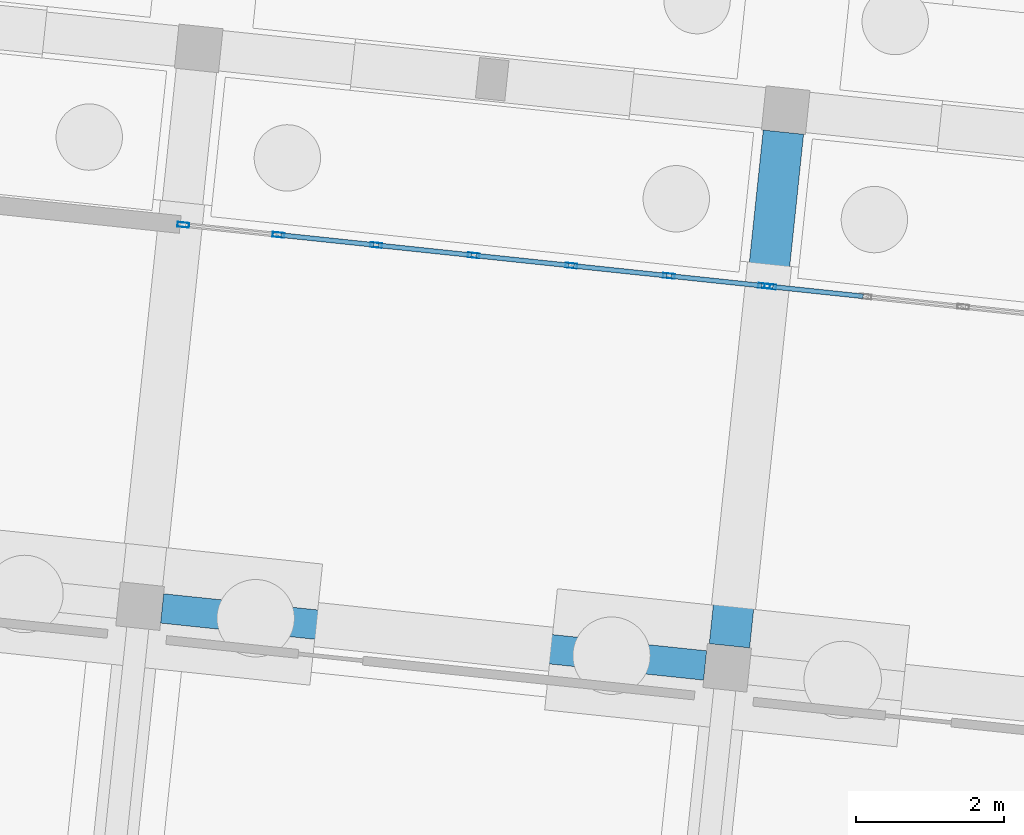
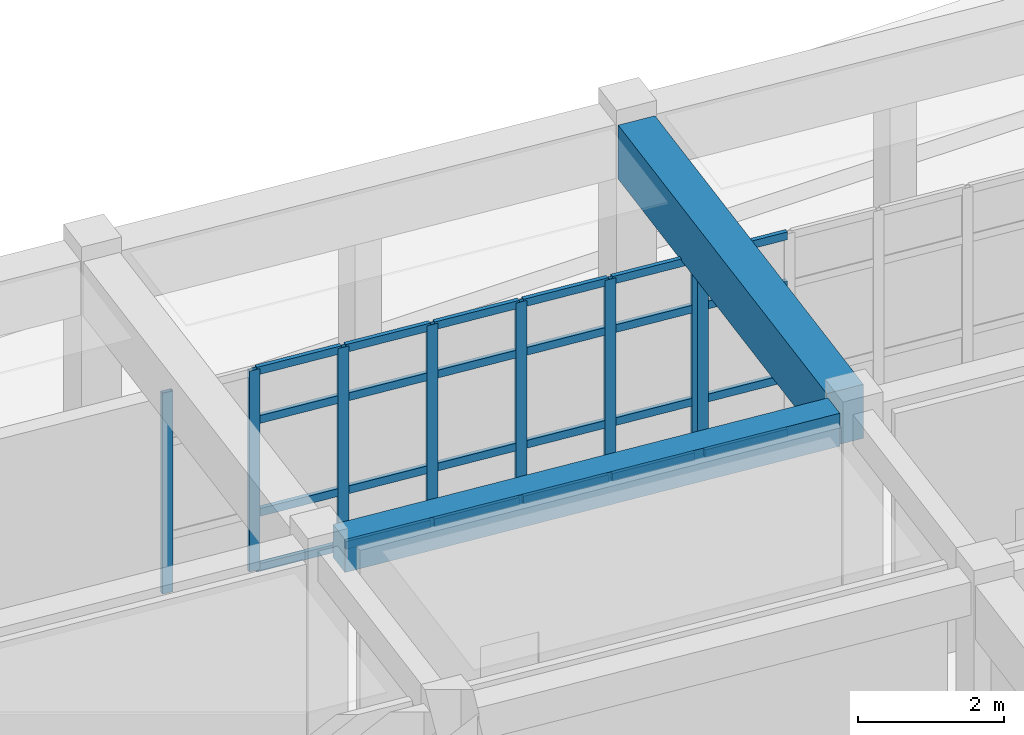
# One storey, part 87 of 154: 32 members, 2 beams, 2 elements without a shape of their own.
"""IFC4 building model written with IfcOpenShell, lengths in metres."""

from ifc_helpers import new_model, si_unit, direction, frame, origin, origin_2d, place, context, subcontext, project, spatial, rectangle, hollow_rectangle, extrude, material, material_profile, profile_set, type_object, element, aggregate, save


model = new_model("IFC4")

# Units and contexts
model_context = context("Model", 3, precision=1e-05, world=origin(), true_north=direction((0.0, 1.0)))
body_context = subcontext(model_context, "Body", "Model", "MODEL_VIEW")
ifc_project = project(units=[si_unit("LENGTHUNIT", "METRE"), si_unit("AREAUNIT", "SQUARE_METRE"), si_unit("VOLUMEUNIT", "CUBIC_METRE"), si_unit("PLANEANGLEUNIT", "RADIAN"), si_unit("MASSUNIT", "GRAM", prefix="KILO")], contexts=[model_context])

# Site, building, storey
site_placement = place(None, origin())
site = spatial("IfcSite", under=ifc_project, at=site_placement, CompositionType="ELEMENT")
building_placement = place(site_placement, origin())
building = spatial("IfcBuilding", under=site, at=building_placement, Name="Kestramere Prow Commons", CompositionType="ELEMENT")
storey_placement = place(building_placement, origin())
storey = spatial("IfcBuildingStorey", under=building, at=storey_placement, Name="L00", CompositionType="ELEMENT", Elevation=0.0)

# Beam
ifc_material_1 = material(Name="Precast concrete C40/50", Category="concrete")
ifc_material_profile_1 = material_profile(ifc_material_1, rectangle(XDim=0.39990234375, YDim=0.550048828125, at=origin_2d()), Name="PC-BM 400x550")
ifc_profile_set_1 = profile_set([ifc_material_profile_1], Name="Precast concrete C40/50")
beam_type_1 = type_object("IfcBeamType", Name="BM-B1 PC-BM 400x550", PredefinedType="BEAM", material=ifc_profile_set_1)
beam_1_placement = place(storey_placement, frame((119.5087890625, 105.86669921875, 3.97509765625), z_axis=(0.994523154564, -0.104516482125, 0.0), x_axis=(0.104516482125, 0.994523154564, 0.0)))
element("IfcBeam", 1, at=beam_1_placement, inside=storey, type_object=beam_type_1, Name="Block B L00 Longitudinal Beam 3-2", PredefinedType="BEAM", context=body_context, shape_type="SweptSolid", body=[
    extrude(rectangle(XDim=0.39990234375, YDim=0.550048828125, at=origin_2d()), origin(), (0.0, 0.0, 1.0), 7.400146484375),
])

# Curtain wall, members
ifc_material_2 = material(Name="Anodised Aluminium and Low-E Glass", Category="aluminium")
curtain_wall_type = type_object("IfcCurtainWallType", Name="CW-05 Glazed Curtain Wall 7980x3350", PredefinedType="USERDEFINED", material=ifc_material_2)
curtain_wall_1_placement = place(storey_placement, origin())
curtain_wall_1 = element("IfcCurtainWall", 2, at=curtain_wall_1_placement, inside=storey, type_object=curtain_wall_type, Name="Block B L00 North Courtyard Storefront 2", ObjectType="GLAZED CURTAIN WALL", PredefinedType="USERDEFINED")
ifc_material_3 = material(Name="Anodised Aluminium 6063-T6", Category="aluminium")
ifc_material_profile_2 = material_profile(ifc_material_3, hollow_rectangle(XDim=0.06494140625, YDim=0.159912109375, WallThickness=0.00390625, at=origin_2d()), Name="ALU-MUL 65x160")
ifc_profile_set_2 = profile_set([ifc_material_profile_2], Name="Anodised Aluminium 6063-T6")
member_type_1 = type_object("IfcMemberType", Name="CW-MUL-65x160", PredefinedType="MULLION", material=ifc_profile_set_2)
member_1_placement = place(storey_placement, frame((119.79638671875, 111.065185546875, 0.0), z_axis=(0.0, 0.0, 1.0), x_axis=(0.104528566667, 0.994521884501, 0.0)))
member_1 = element("IfcMember", 3, at=member_1_placement, type_object=member_type_1, Name="CW-05 mullion 1", PredefinedType="MULLION", context=body_context, shape_type="SweptSolid", body=[
    extrude(hollow_rectangle(XDim=0.06494140625, YDim=0.159912109375, WallThickness=0.00390625, at=origin_2d()), origin(), (0.0, 0.0, 1.0), 3.35009765625),
])
member_2_placement = place(storey_placement, frame((121.086669921875, 110.929443359375, 0.0), z_axis=(0.0, 0.0, 1.0), x_axis=(0.104528566667, 0.994521884501, 0.0)))
member_2 = element("IfcMember", 4, at=member_2_placement, type_object=member_type_1, Name="CW-05 mullion 2", PredefinedType="MULLION", context=body_context, shape_type="SweptSolid", body=[
    extrude(hollow_rectangle(XDim=0.06494140625, YDim=0.159912109375, WallThickness=0.00390625, at=origin_2d()), origin(), (0.0, 0.0, 1.0), 3.35009765625),
])
member_3_placement = place(storey_placement, frame((122.409423828125, 110.79052734375, 0.0), z_axis=(0.0, 0.0, 1.0), x_axis=(0.104528566667, 0.994521884501, 0.0)))
member_3 = element("IfcMember", 5, at=member_3_placement, type_object=member_type_1, Name="CW-05 mullion 3", PredefinedType="MULLION", context=body_context, shape_type="SweptSolid", body=[
    extrude(hollow_rectangle(XDim=0.06494140625, YDim=0.159912109375, WallThickness=0.00390625, at=origin_2d()), origin(), (0.0, 0.0, 1.0), 3.35009765625),
])
member_4_placement = place(storey_placement, frame((123.732177734375, 110.6513671875, 0.0), z_axis=(0.0, 0.0, 1.0), x_axis=(0.104528566667, 0.994521884501, 0.0)))
member_4 = element("IfcMember", 6, at=member_4_placement, type_object=member_type_1, Name="CW-05 mullion 4", PredefinedType="MULLION", context=body_context, shape_type="SweptSolid", body=[
    extrude(hollow_rectangle(XDim=0.06494140625, YDim=0.159912109375, WallThickness=0.00390625, at=origin_2d()), origin(), (0.0, 0.0, 1.0), 3.35009765625),
])
member_5_placement = place(storey_placement, frame((125.054931640625, 110.512451171875, 0.0), z_axis=(0.0, 0.0, 1.0), x_axis=(0.104528566667, 0.994521884501, 0.0)))
member_5 = element("IfcMember", 7, at=member_5_placement, type_object=member_type_1, Name="CW-05 mullion 5", PredefinedType="MULLION", context=body_context, shape_type="SweptSolid", body=[
    extrude(hollow_rectangle(XDim=0.06494140625, YDim=0.159912109375, WallThickness=0.00390625, at=origin_2d()), origin(), (0.0, 0.0, 1.0), 3.35009765625),
])
member_6_placement = place(storey_placement, frame((126.377685546875, 110.373291015625, 0.0), z_axis=(0.0, 0.0, 1.0), x_axis=(0.104528566667, 0.994521884501, 0.0)))
member_6 = element("IfcMember", 8, at=member_6_placement, type_object=member_type_1, Name="CW-05 mullion 6", PredefinedType="MULLION", context=body_context, shape_type="SweptSolid", body=[
    extrude(hollow_rectangle(XDim=0.06494140625, YDim=0.159912109375, WallThickness=0.00390625, at=origin_2d()), origin(), (0.0, 0.0, 1.0), 3.35009765625),
])
member_7_placement = place(storey_placement, frame((127.66796875, 110.23779296875, 0.0), z_axis=(0.0, 0.0, 1.0), x_axis=(0.104528566667, 0.994521884501, 0.0)))
member_7 = element("IfcMember", 9, at=member_7_placement, type_object=member_type_1, Name="CW-05 mullion 7", PredefinedType="MULLION", context=body_context, shape_type="SweptSolid", body=[
    extrude(hollow_rectangle(XDim=0.06494140625, YDim=0.159912109375, WallThickness=0.00390625, at=origin_2d()), origin(), (0.0, 0.0, 1.0), 3.35009765625),
])

# Curtain wall, member
curtain_wall_2_placement = place(storey_placement, origin())
curtain_wall_2 = element("IfcCurtainWall", 10, at=curtain_wall_2_placement, inside=storey, type_object=curtain_wall_type, Name="Block B L00 North Courtyard Storefront 3", ObjectType="GLAZED CURTAIN WALL", PredefinedType="USERDEFINED")
member_8_placement = place(storey_placement, frame((127.75244140625, 110.228759765625, 0.0), z_axis=(0.0, 0.0, 1.0), x_axis=(0.104528442716, 0.994521897528, 0.0)))
member_8 = element("IfcMember", 11, at=member_8_placement, type_object=member_type_1, Name="CW-05 mullion 1", PredefinedType="MULLION", context=body_context, shape_type="SweptSolid", body=[
    extrude(hollow_rectangle(XDim=0.06494140625, YDim=0.159912109375, WallThickness=0.00390625, at=origin_2d()), origin(), (0.0, 0.0, 1.0), 3.35009765625),
])

# Member
ifc_material_profile_3 = material_profile(ifc_material_3, hollow_rectangle(XDim=0.06494140625, YDim=0.1298828125, WallThickness=0.00390625, at=origin_2d()), Name="ALU-TRN 65x130")
ifc_profile_set_3 = profile_set([ifc_material_profile_3], Name="Anodised Aluminium 6063-T6")
member_type_2 = type_object("IfcMemberType", Name="CW-TRN-65x130", PredefinedType="USERDEFINED", material=ifc_profile_set_3)
member_9_placement = place(storey_placement, frame((121.119140625, 110.926025390625, 0.032470703125), z_axis=(0.994533969495, -0.104413521734, 0.0), x_axis=(0.104413521734, 0.994533969495, 0.0)))
member_9 = element("IfcMember", 12, at=member_9_placement, type_object=member_type_2, Name="CW-05 transom 2.1", ObjectType="TRANSOM", PredefinedType="USERDEFINED", context=body_context, shape_type="SweptSolid", body=[
    extrude(hollow_rectangle(XDim=0.06494140625, YDim=0.1298828125, WallThickness=0.00390625, at=origin_2d()), origin(), (0.0, 0.0, 1.0), 1.264892578125),
])

member_10_placement = place(storey_placement, frame((121.119140625, 110.926025390625, 0.949951171875), z_axis=(0.994533969495, -0.104413521734, 0.0), x_axis=(0.104413521734, 0.994533969495, 0.0)))
member_10 = element("IfcMember", 13, at=member_10_placement, type_object=member_type_2, Name="CW-05 transom 2.2", ObjectType="TRANSOM", PredefinedType="USERDEFINED", context=body_context, shape_type="SweptSolid", body=[
    extrude(hollow_rectangle(XDim=0.06494140625, YDim=0.1298828125, WallThickness=0.00390625, at=origin_2d()), origin(), (0.0, 0.0, 1.0), 1.264892578125),
])

member_11_placement = place(storey_placement, frame((121.119140625, 110.926025390625, 2.5), z_axis=(0.994533969495, -0.104413521734, 0.0), x_axis=(0.104413521734, 0.994533969495, 0.0)))
member_11 = element("IfcMember", 14, at=member_11_placement, type_object=member_type_2, Name="CW-05 transom 2.3", ObjectType="TRANSOM", PredefinedType="USERDEFINED", context=body_context, shape_type="SweptSolid", body=[
    extrude(hollow_rectangle(XDim=0.06494140625, YDim=0.1298828125, WallThickness=0.00390625, at=origin_2d()), origin(), (0.0, 0.0, 1.0), 1.264892578125),
])

member_12_placement = place(storey_placement, frame((121.119140625, 110.926025390625, 3.3173828125), z_axis=(0.994533969495, -0.104413521734, 0.0), x_axis=(0.104413521734, 0.994533969495, 0.0)))
member_12 = element("IfcMember", 15, at=member_12_placement, type_object=member_type_2, Name="CW-05 transom 2.4", ObjectType="TRANSOM", PredefinedType="USERDEFINED", context=body_context, shape_type="SweptSolid", body=[
    extrude(hollow_rectangle(XDim=0.06494140625, YDim=0.1298828125, WallThickness=0.00390625, at=origin_2d()), origin(), (0.0, 0.0, 1.0), 1.264892578125),
])

member_13_placement = place(storey_placement, frame((122.441650390625, 110.787109375, 0.032470703125), z_axis=(0.994516021002, -0.104584339034, 0.0), x_axis=(0.104584339034, 0.994516021002, 0.0)))
member_13 = element("IfcMember", 16, at=member_13_placement, type_object=member_type_2, Name="CW-05 transom 3.1", ObjectType="TRANSOM", PredefinedType="USERDEFINED", context=body_context, shape_type="SweptSolid", body=[
    extrude(hollow_rectangle(XDim=0.06494140625, YDim=0.1298828125, WallThickness=0.00390625, at=origin_2d()), origin(), (0.0, 0.0, 1.0), 1.26513671875),
])

member_14_placement = place(storey_placement, frame((122.441650390625, 110.787109375, 0.949951171875), z_axis=(0.994516021002, -0.104584339034, 0.0), x_axis=(0.104584339034, 0.994516021002, 0.0)))
member_14 = element("IfcMember", 17, at=member_14_placement, type_object=member_type_2, Name="CW-05 transom 3.2", ObjectType="TRANSOM", PredefinedType="USERDEFINED", context=body_context, shape_type="SweptSolid", body=[
    extrude(hollow_rectangle(XDim=0.06494140625, YDim=0.1298828125, WallThickness=0.00390625, at=origin_2d()), origin(), (0.0, 0.0, 1.0), 1.26513671875),
])

member_15_placement = place(storey_placement, frame((122.441650390625, 110.787109375, 2.5), z_axis=(0.994516021002, -0.104584339034, 0.0), x_axis=(0.104584339034, 0.994516021002, 0.0)))
member_15 = element("IfcMember", 18, at=member_15_placement, type_object=member_type_2, Name="CW-05 transom 3.3", ObjectType="TRANSOM", PredefinedType="USERDEFINED", context=body_context, shape_type="SweptSolid", body=[
    extrude(hollow_rectangle(XDim=0.06494140625, YDim=0.1298828125, WallThickness=0.00390625, at=origin_2d()), origin(), (0.0, 0.0, 1.0), 1.26513671875),
])

member_16_placement = place(storey_placement, frame((122.441650390625, 110.787109375, 3.3173828125), z_axis=(0.994516021002, -0.104584339034, 0.0), x_axis=(0.104584339034, 0.994516021002, 0.0)))
member_16 = element("IfcMember", 19, at=member_16_placement, type_object=member_type_2, Name="CW-05 transom 3.4", ObjectType="TRANSOM", PredefinedType="USERDEFINED", context=body_context, shape_type="SweptSolid", body=[
    extrude(hollow_rectangle(XDim=0.06494140625, YDim=0.1298828125, WallThickness=0.00390625, at=origin_2d()), origin(), (0.0, 0.0, 1.0), 1.26513671875),
])

member_17_placement = place(storey_placement, frame((123.764404296875, 110.64794921875, 0.032470703125), z_axis=(0.994533969495, -0.104413521734, 0.0), x_axis=(0.104413521734, 0.994533969495, 0.0)))
member_17 = element("IfcMember", 20, at=member_17_placement, type_object=member_type_2, Name="CW-05 transom 4.1", ObjectType="TRANSOM", PredefinedType="USERDEFINED", context=body_context, shape_type="SweptSolid", body=[
    extrude(hollow_rectangle(XDim=0.06494140625, YDim=0.1298828125, WallThickness=0.00390625, at=origin_2d()), origin(), (0.0, 0.0, 1.0), 1.264892578125),
])

member_18_placement = place(storey_placement, frame((123.764404296875, 110.64794921875, 0.949951171875), z_axis=(0.994533969495, -0.104413521734, 0.0), x_axis=(0.104413521734, 0.994533969495, 0.0)))
member_18 = element("IfcMember", 21, at=member_18_placement, type_object=member_type_2, Name="CW-05 transom 4.2", ObjectType="TRANSOM", PredefinedType="USERDEFINED", context=body_context, shape_type="SweptSolid", body=[
    extrude(hollow_rectangle(XDim=0.06494140625, YDim=0.1298828125, WallThickness=0.00390625, at=origin_2d()), origin(), (0.0, 0.0, 1.0), 1.264892578125),
])

member_19_placement = place(storey_placement, frame((123.764404296875, 110.64794921875, 2.5), z_axis=(0.994533969495, -0.104413521734, 0.0), x_axis=(0.104413521734, 0.994533969495, 0.0)))
member_19 = element("IfcMember", 22, at=member_19_placement, type_object=member_type_2, Name="CW-05 transom 4.3", ObjectType="TRANSOM", PredefinedType="USERDEFINED", context=body_context, shape_type="SweptSolid", body=[
    extrude(hollow_rectangle(XDim=0.06494140625, YDim=0.1298828125, WallThickness=0.00390625, at=origin_2d()), origin(), (0.0, 0.0, 1.0), 1.264892578125),
])

member_20_placement = place(storey_placement, frame((123.764404296875, 110.64794921875, 3.3173828125), z_axis=(0.994533969495, -0.104413521734, 0.0), x_axis=(0.104413521734, 0.994533969495, 0.0)))
member_20 = element("IfcMember", 23, at=member_20_placement, type_object=member_type_2, Name="CW-05 transom 4.4", ObjectType="TRANSOM", PredefinedType="USERDEFINED", context=body_context, shape_type="SweptSolid", body=[
    extrude(hollow_rectangle(XDim=0.06494140625, YDim=0.1298828125, WallThickness=0.00390625, at=origin_2d()), origin(), (0.0, 0.0, 1.0), 1.264892578125),
])

member_21_placement = place(storey_placement, frame((125.087158203125, 110.509033203125, 0.032470703125), z_axis=(0.994513909819, -0.104604412793, 0.0), x_axis=(0.104604412793, 0.994513909819, 0.0)))
member_21 = element("IfcMember", 24, at=member_21_placement, type_object=member_type_2, Name="CW-05 transom 5.1", ObjectType="TRANSOM", PredefinedType="USERDEFINED", context=body_context, shape_type="SweptSolid", body=[
    extrude(hollow_rectangle(XDim=0.06494140625, YDim=0.1298828125, WallThickness=0.00390625, at=origin_2d()), origin(), (0.0, 0.0, 1.0), 1.264892578125),
])

member_22_placement = place(storey_placement, frame((125.087158203125, 110.509033203125, 0.949951171875), z_axis=(0.994513909819, -0.104604412793, 0.0), x_axis=(0.104604412793, 0.994513909819, 0.0)))
member_22 = element("IfcMember", 25, at=member_22_placement, type_object=member_type_2, Name="CW-05 transom 5.2", ObjectType="TRANSOM", PredefinedType="USERDEFINED", context=body_context, shape_type="SweptSolid", body=[
    extrude(hollow_rectangle(XDim=0.06494140625, YDim=0.1298828125, WallThickness=0.00390625, at=origin_2d()), origin(), (0.0, 0.0, 1.0), 1.264892578125),
])

member_23_placement = place(storey_placement, frame((125.087158203125, 110.509033203125, 2.5), z_axis=(0.994513909819, -0.104604412793, 0.0), x_axis=(0.104604412793, 0.994513909819, 0.0)))
member_23 = element("IfcMember", 26, at=member_23_placement, type_object=member_type_2, Name="CW-05 transom 5.3", ObjectType="TRANSOM", PredefinedType="USERDEFINED", context=body_context, shape_type="SweptSolid", body=[
    extrude(hollow_rectangle(XDim=0.06494140625, YDim=0.1298828125, WallThickness=0.00390625, at=origin_2d()), origin(), (0.0, 0.0, 1.0), 1.264892578125),
])

member_24_placement = place(storey_placement, frame((125.087158203125, 110.509033203125, 3.3173828125), z_axis=(0.994513909819, -0.104604412793, 0.0), x_axis=(0.104604412793, 0.994513909819, 0.0)))
member_24 = element("IfcMember", 27, at=member_24_placement, type_object=member_type_2, Name="CW-05 transom 5.4", ObjectType="TRANSOM", PredefinedType="USERDEFINED", context=body_context, shape_type="SweptSolid", body=[
    extrude(hollow_rectangle(XDim=0.06494140625, YDim=0.1298828125, WallThickness=0.00390625, at=origin_2d()), origin(), (0.0, 0.0, 1.0), 1.264892578125),
])

member_25_placement = place(storey_placement, frame((126.409912109375, 110.369873046875, 0.032470703125), z_axis=(0.994536882975, -0.104385767243, 0.0), x_axis=(0.104385767243, 0.994536882975, 0.0)))
member_25 = element("IfcMember", 28, at=member_25_placement, type_object=member_type_2, Name="CW-05 transom 6.1", ObjectType="TRANSOM", PredefinedType="USERDEFINED", context=body_context, shape_type="SweptSolid", body=[
    extrude(hollow_rectangle(XDim=0.06494140625, YDim=0.1298828125, WallThickness=0.00390625, at=origin_2d()), origin(), (0.0, 0.0, 1.0), 1.232666015625),
])

member_26_placement = place(storey_placement, frame((126.409912109375, 110.369873046875, 0.949951171875), z_axis=(0.994536882975, -0.104385767243, 0.0), x_axis=(0.104385767243, 0.994536882975, 0.0)))
member_26 = element("IfcMember", 29, at=member_26_placement, type_object=member_type_2, Name="CW-05 transom 6.2", ObjectType="TRANSOM", PredefinedType="USERDEFINED", context=body_context, shape_type="SweptSolid", body=[
    extrude(hollow_rectangle(XDim=0.06494140625, YDim=0.1298828125, WallThickness=0.00390625, at=origin_2d()), origin(), (0.0, 0.0, 1.0), 1.232666015625),
])

member_27_placement = place(storey_placement, frame((126.409912109375, 110.369873046875, 2.5), z_axis=(0.994536882975, -0.104385767243, 0.0), x_axis=(0.104385767243, 0.994536882975, 0.0)))
member_27 = element("IfcMember", 30, at=member_27_placement, type_object=member_type_2, Name="CW-05 transom 6.3", ObjectType="TRANSOM", PredefinedType="USERDEFINED", context=body_context, shape_type="SweptSolid", body=[
    extrude(hollow_rectangle(XDim=0.06494140625, YDim=0.1298828125, WallThickness=0.00390625, at=origin_2d()), origin(), (0.0, 0.0, 1.0), 1.232666015625),
])

member_28_placement = place(storey_placement, frame((126.409912109375, 110.369873046875, 3.3173828125), z_axis=(0.994536882975, -0.104385767243, 0.0), x_axis=(0.104385767243, 0.994536882975, 0.0)))
member_28 = element("IfcMember", 31, at=member_28_placement, type_object=member_type_2, Name="CW-05 transom 6.4", ObjectType="TRANSOM", PredefinedType="USERDEFINED", context=body_context, shape_type="SweptSolid", body=[
    extrude(hollow_rectangle(XDim=0.06494140625, YDim=0.1298828125, WallThickness=0.00390625, at=origin_2d()), origin(), (0.0, 0.0, 1.0), 1.232666015625),
])

aggregate(curtain_wall_1, [member_1, member_2, member_3, member_4, member_5, member_6, member_7, member_9, member_10, member_11, member_12, member_13, member_14, member_15, member_16, member_17, member_18, member_19, member_20, member_21, member_22, member_23, member_24, member_25, member_26, member_27, member_28])

member_29_placement = place(storey_placement, frame((127.784912109375, 110.2255859375, 0.032470703125), z_axis=(0.99451413379, -0.104602283395, 0.0), x_axis=(0.104602283395, 0.99451413379, 0.0)))
member_29 = element("IfcMember", 32, at=member_29_placement, type_object=member_type_2, Name="CW-05 transom 1.1", ObjectType="TRANSOM", PredefinedType="USERDEFINED", context=body_context, shape_type="SweptSolid", body=[
    extrude(hollow_rectangle(XDim=0.06494140625, YDim=0.1298828125, WallThickness=0.00390625, at=origin_2d()), origin(), (0.0, 0.0, 1.0), 1.232421875),
])

member_30_placement = place(storey_placement, frame((127.784912109375, 110.2255859375, 0.949951171875), z_axis=(0.99451413379, -0.104602283395, 0.0), x_axis=(0.104602283395, 0.99451413379, 0.0)))
member_30 = element("IfcMember", 33, at=member_30_placement, type_object=member_type_2, Name="CW-05 transom 1.2", ObjectType="TRANSOM", PredefinedType="USERDEFINED", context=body_context, shape_type="SweptSolid", body=[
    extrude(hollow_rectangle(XDim=0.06494140625, YDim=0.1298828125, WallThickness=0.00390625, at=origin_2d()), origin(), (0.0, 0.0, 1.0), 1.232421875),
])

member_31_placement = place(storey_placement, frame((127.784912109375, 110.2255859375, 2.5), z_axis=(0.99451413379, -0.104602283395, 0.0), x_axis=(0.104602283395, 0.99451413379, 0.0)))
member_31 = element("IfcMember", 34, at=member_31_placement, type_object=member_type_2, Name="CW-05 transom 1.3", ObjectType="TRANSOM", PredefinedType="USERDEFINED", context=body_context, shape_type="SweptSolid", body=[
    extrude(hollow_rectangle(XDim=0.06494140625, YDim=0.1298828125, WallThickness=0.00390625, at=origin_2d()), origin(), (0.0, 0.0, 1.0), 1.232421875),
])

member_32_placement = place(storey_placement, frame((127.784912109375, 110.2255859375, 3.3173828125), z_axis=(0.99451413379, -0.104602283395, 0.0), x_axis=(0.104602283395, 0.99451413379, 0.0)))
member_32 = element("IfcMember", 35, at=member_32_placement, type_object=member_type_2, Name="CW-05 transom 1.4", ObjectType="TRANSOM", PredefinedType="USERDEFINED", context=body_context, shape_type="SweptSolid", body=[
    extrude(hollow_rectangle(XDim=0.06494140625, YDim=0.1298828125, WallThickness=0.00390625, at=origin_2d()), origin(), (0.0, 0.0, 1.0), 1.232421875),
])

aggregate(curtain_wall_2, [member_8, member_29, member_30, member_31, member_32])

# Beam
ifc_material_profile_4 = material_profile(ifc_material_1, rectangle(XDim=0.550048828125, YDim=0.89990234375, at=origin_2d()), Name="PC-TG 550x900")
ifc_profile_set_4 = profile_set([ifc_material_profile_4], Name="Precast concrete C40/50")
beam_type_2 = type_object("IfcBeamType", Name="TG-01 PC-TG 550x900 (EX)", PredefinedType="BEAM", material=ifc_profile_set_4)
beam_2_placement = place(storey_placement, frame((127.197998046875, 105.360107421875, 3.800048828125), z_axis=(0.104526832686, 0.994522066748, 0.0), x_axis=(-0.994522066748, 0.104526832686, 0.0)))
element("IfcBeam", 36, at=beam_2_placement, inside=storey, type_object=beam_type_2, Name="Block B L00 N Colonnade Transfer Girder 3", PredefinedType="BEAM", context=body_context, shape_type="SweptSolid", body=[
    extrude(rectangle(XDim=0.550048828125, YDim=0.89990234375, at=origin_2d()), origin(), (0.0, 0.0, 1.0), 7.0),
])

save(model, "model.ifc")
